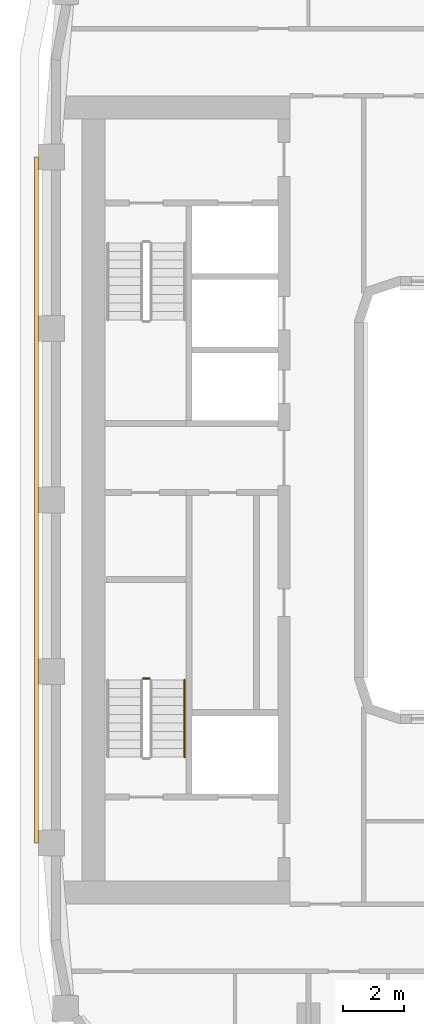
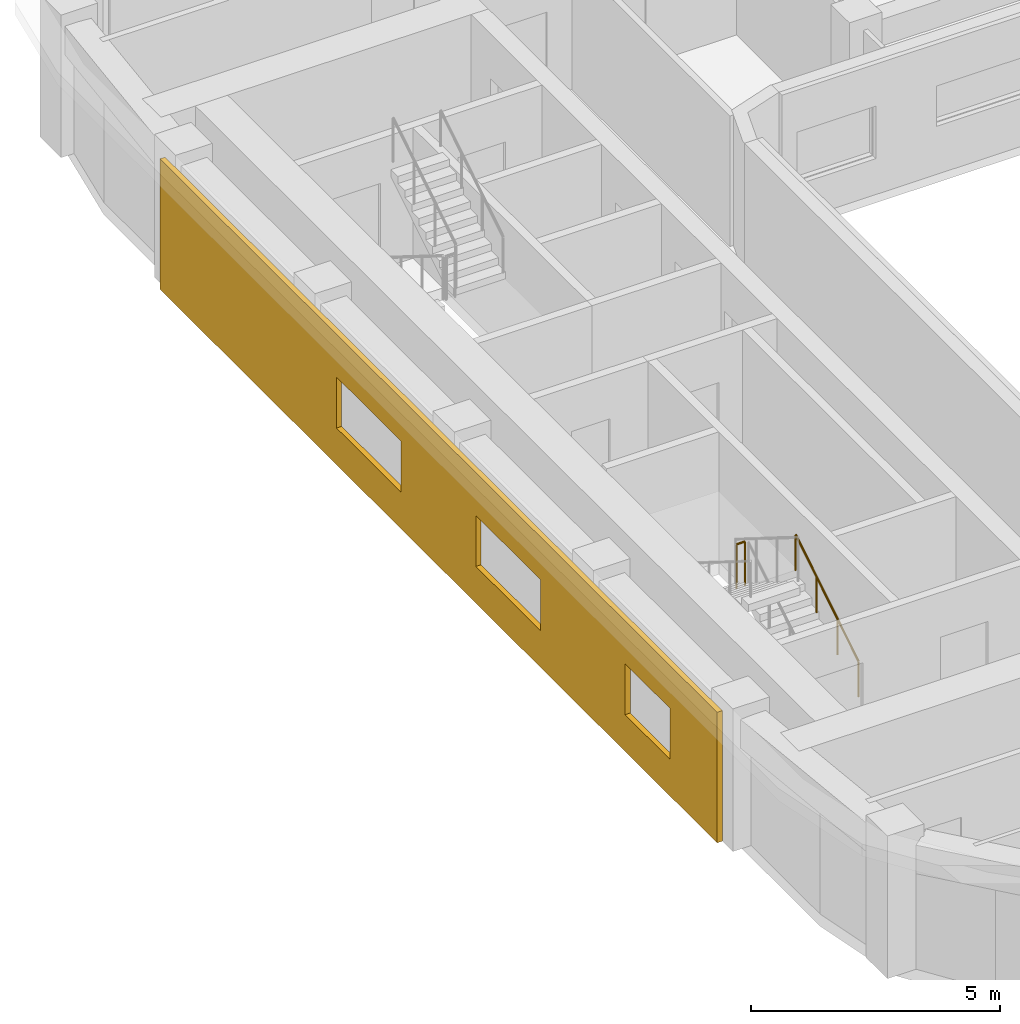
# One storey, part 12 of 21: 2 railings, 1 covering.
"""IFC4 building model written with IfcOpenShell, lengths in metres."""

from ifc_helpers import new_model, si_unit, direction, frame, origin, origin_2d, place, context, subcontext, project, spatial, polyline, circle, outline, extrude, material, layer, layer_set, type_object, element, save


model = new_model("IFC4")

# Units and contexts
model_context = context("Model", 3, precision=1e-05, world=origin(), true_north=direction((0.0, 1.0)))
body_context = subcontext(model_context, "Body", "Model", "MODEL_VIEW")
ifc_project = project(units=[si_unit("LENGTHUNIT", "METRE"), si_unit("AREAUNIT", "SQUARE_METRE"), si_unit("VOLUMEUNIT", "CUBIC_METRE"), si_unit("PLANEANGLEUNIT", "RADIAN"), si_unit("MASSUNIT", "GRAM", prefix="KILO")], contexts=[model_context])

# Site, building, storey
site_placement = place(None, origin())
site = spatial("IfcSite", under=ifc_project, at=site_placement, CompositionType="ELEMENT")
building_placement = place(site_placement, origin())
building = spatial("IfcBuilding", under=site, at=building_placement, Name="Kiln Ring Residences", CompositionType="ELEMENT")
storey_placement = place(building_placement, frame((0.0, 0.0, 223.89990234375)))
storey = spatial("IfcBuildingStorey", under=building, at=storey_placement, Name="L58", CompositionType="ELEMENT", Elevation=223.89990234375)

# Railings
ifc_material_1 = material(Name="Stainless steel", Category="steel")
railing_type_1 = type_object("IfcRailingType", Name="CORE-STAIR-GUARD", PredefinedType="GUARDRAIL", material=ifc_material_1)
railing_1_placement = place(storey_placement, frame((-22.0, -5.830078125, 1.75)))
element("IfcRailing", 1, at=railing_1_placement, inside=storey, type_object=railing_type_1, Name="L58 W-STS stair guard 2", PredefinedType="GUARDRAIL", context=body_context, shape_type="SweptSolid", body=[
    extrude(circle(Radius=0.02392578125, at=origin_2d()), frame((0.0, 0.0, 1.076171875), z_axis=(-1.0, 0.0, 0.0), x_axis=(0.0, -1.0, 0.0)), (0.0, 0.0, 1.0), 0.199951171875),
    extrude(circle(Radius=0.02099609375, at=origin_2d()), origin(), (0.0, 0.0, 1.0), 1.052001953125),
    extrude(circle(Radius=0.02099609375, at=origin_2d()), frame((-0.199951171875, 0.0, 0.0)), (0.0, 0.0, 1.0), 1.052001953125),
])
ifc_material_2 = material(Name="Stainless steel", Category="steel")
railing_type_2 = type_object("IfcRailingType", Name="CORE-STAIR-HANDRAIL", PredefinedType="HANDRAIL", material=ifc_material_2)
railing_2_placement = place(storey_placement, frame((-20.85009765625, -8.39990234375, 0.175048828125)))
element("IfcRailing", 2, at=railing_2_placement, inside=storey, type_object=railing_type_2, Name="L58 W-STS stair handrail 1", PredefinedType="HANDRAIL", context=body_context, shape_type="SweptSolid", body=[
    extrude(circle(Radius=0.02392578125, at=origin_2d()), frame((0.0, 0.0, 0.8759765625), z_axis=(0.0, 0.848007534815, 0.529984170421), x_axis=(-1.0, 0.0, 0.0)), (0.0, 0.0, 1.0), 2.9716796875),
    extrude(circle(Radius=0.02099609375, at=origin_2d()), origin(), (0.0, 0.0, 1.0), 0.851806640625),
    extrude(circle(Radius=0.02099609375, at=origin_2d()), frame((0.0, 0.840087890625, 0.52490234375)), (0.0, 0.0, 1.0), 0.851806640625),
    extrude(circle(Radius=0.02099609375, at=origin_2d()), frame((0.0, 1.679931640625, 1.050048828125)), (0.0, 0.0, 1.0), 0.851806640625),
    extrude(circle(Radius=0.02099609375, at=origin_2d()), frame((0.0, 2.52001953125, 1.574951171875)), (0.0, 0.0, 1.0), 0.851806640625),
])

# Covering
ifc_material_3 = material(Name="Brick masonry, dark clay brick", Category="masonry")
ifc_layer = layer(ifc_material_3, 0.1201171875)
ifc_layer_set = layer_set([ifc_layer], Name="RAINSCREEN PANEL 120")
covering_type = type_object("IfcCoveringType", Name="RAINSCREEN PANEL 120", PredefinedType="CLADDING", material=ifc_layer_set)
covering_placement = place(storey_placement, frame((-25.68505859375, 11.199951171875, 0.0), z_axis=(0.0, 0.0, 1.0), x_axis=(0.0, -1.0, 0.0)))
element("IfcCovering", 3, at=covering_placement, inside=storey, type_object=covering_type, Name="RAINSCREEN L58", PredefinedType="CLADDING", context=body_context, shape_type="SweptSolid", body=[
    extrude(outline(polyline([(0.0, 0.0), (22.39990234375, 0.0), (22.39990234375, 3.2001953125), (0.0, 3.2001953125), (0.0, 0.0)]), holes=[polyline([(9.699951171875, 2.150146484375), (7.10009765625, 2.150146484375), (7.10009765625, 0.900146484375), (9.699951171875, 0.900146484375), (9.699951171875, 2.150146484375)]), polyline([(15.300048828125, 0.900146484375), (15.300048828125, 2.150146484375), (12.699951171875, 2.150146484375), (12.699951171875, 0.900146484375), (15.300048828125, 0.900146484375)]), polyline([(20.5, 0.900146484375), (20.5, 2.150146484375), (18.699951171875, 2.150146484375), (18.699951171875, 0.900146484375), (20.5, 0.900146484375)])]), frame((0.0, 0.06005859375, 0.0), z_axis=(0.0, -1.0, 0.0), x_axis=(1.0, 0.0, 0.0)), (0.0, 0.0, 1.0), 0.1201171875),
])

save(model, "model.ifc")
